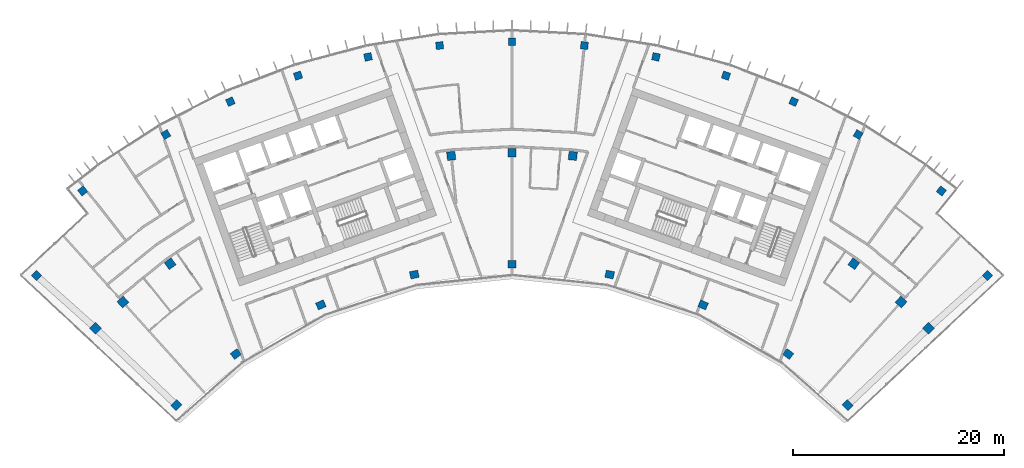
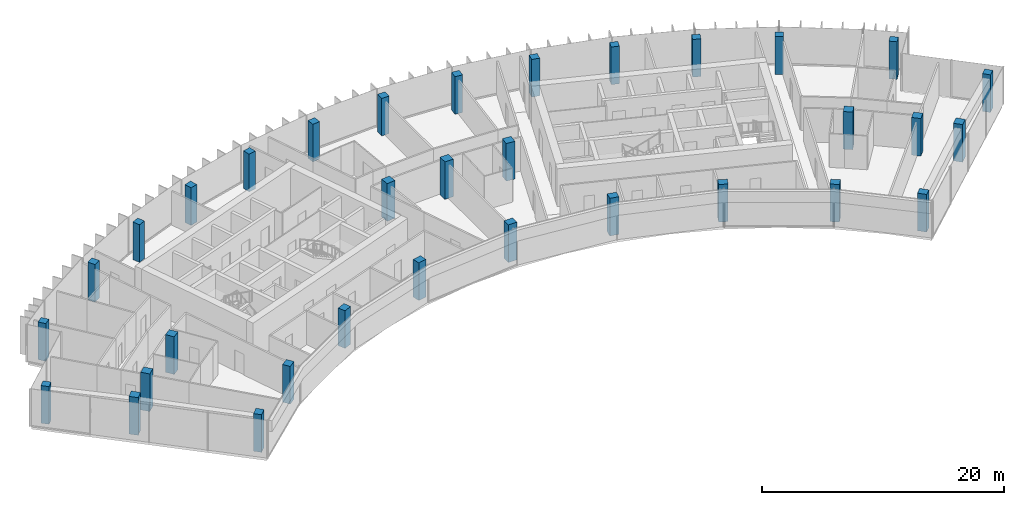
# One storey, part 1 of 19: 33 columns.
"""IFC4 building model written with IfcOpenShell, lengths in metres."""

import ifcopenshell
import ifcopenshell.guid

model = None  # the IFC model being written
_history = None  # IfcOwnerHistory: only IFC2X3 demands one
_inside = {}  # id of a spatial element -> (the spatial element, [elements in it])
_under = {}  # id of a project, library or spatial element -> (it, [spatial elements below it])
_declared = {}  # id of a project -> (the project, [libraries it declares])
_typed = {}  # id of a type object -> (the type object, [elements of that type])
_made_of = {}  # id of a material, layer set ... -> (it, [elements and type objects made of it])


def new_model(schema):
    """Start an empty IFC model of exactly this schema.

    Asked for "IFC4X3", IfcOpenShell would pick the latest addendum, in which some entities
    have other attributes; the version numbers below select the first issue.
    IFC2X3 requires an IfcOwnerHistory on every rooted entity: one is made here for all.
    """
    global model, _history
    if schema == "IFC4X3":
        model = ifcopenshell.file(schema_version=(4, 3, 0, 0))
    else:
        model = ifcopenshell.file(schema=schema)
    _inside.clear()
    _under.clear()
    _declared.clear()
    _typed.clear()
    _made_of.clear()
    _history = None
    if model.schema == "IFC2X3":
        org = make("IfcOrganization", Name="unknown")
        user = make(
            "IfcPersonAndOrganization",
            ThePerson=make("IfcPerson", FamilyName="unknown"),
            TheOrganization=org,
        )
        app = make(
            "IfcApplication",
            ApplicationDeveloper=org,
            Version="unknown",
            ApplicationFullName="unknown",
            ApplicationIdentifier="unknown",
        )
        _history = make(
            "IfcOwnerHistory",
            OwningUser=user,
            OwningApplication=app,
            ChangeAction="ADDED",
            CreationDate=0,
        )
    return model


def make(cls, **values):
    """One entity of the class cls with the attributes given. An attribute that is None is left unset."""
    return model.create_entity(
        cls, **{name: value for name, value in values.items() if value is not None}
    )


def rooted(cls, **values):
    """An entity with a GlobalId (a new one), such as an element, a storey or a relation."""
    return make(cls, GlobalId=ifcopenshell.guid.new(), OwnerHistory=_history, **values)


def si_unit(unit_type, name, prefix=None):
    """IfcSIUnit, for example si_unit("LENGTHUNIT", "METRE", prefix="MILLI")."""
    return make("IfcSIUnit", UnitType=unit_type, Prefix=prefix, Name=name)


def assignment(units):
    """IfcUnitAssignment: the units of a project."""
    return None if units is None else make("IfcUnitAssignment", Units=units)


def point(xyz):
    """IfcCartesianPoint."""
    return None if xyz is None else make("IfcCartesianPoint", Coordinates=xyz)


def direction(xyz):
    """IfcDirection."""
    return None if xyz is None else make("IfcDirection", DirectionRatios=xyz)


def frame(location, z_axis=None, x_axis=None):
    """IfcAxis2Placement3D, a coordinate frame: its origin and axes. An axis left out is left unset."""
    return make(
        "IfcAxis2Placement3D",
        Location=point(location),
        Axis=direction(z_axis),
        RefDirection=direction(x_axis),
    )


def frame_2d(location, x_axis=None):
    """IfcAxis2Placement2D, a coordinate frame in the plane: its origin and x axis."""
    return make(
        "IfcAxis2Placement2D", Location=point(location), RefDirection=direction(x_axis)
    )


def origin():
    """The frame at (0, 0, 0) with its axes left unset."""
    return frame((0.0, 0.0, 0.0))


def origin_2d():
    """The frame at (0, 0) in the plane with its x axis left unset."""
    return frame_2d((0.0, 0.0))


def place(relative_to, where):
    """IfcLocalPlacement: puts the frame where relative to a parent placement (None: the world)."""
    return make(
        "IfcLocalPlacement", PlacementRelTo=relative_to, RelativePlacement=where
    )


def context(
    kind, dimensions, precision=None, world=None, true_north=None, identifier=None
):
    """IfcGeometricRepresentationContext, for example the 3D "Model" context."""
    return make(
        "IfcGeometricRepresentationContext",
        ContextIdentifier=identifier,
        ContextType=kind,
        CoordinateSpaceDimension=dimensions,
        Precision=precision,
        WorldCoordinateSystem=world,
        TrueNorth=true_north,
    )


def subcontext(parent, identifier, kind, view, scale=None):
    """IfcGeometricRepresentationSubContext, for example "Body" below "Model"."""
    return make(
        "IfcGeometricRepresentationSubContext",
        ContextIdentifier=identifier,
        ContextType=kind,
        ParentContext=parent,
        TargetScale=scale,
        TargetView=view,
    )


def project(units=None, contexts=None):
    """IfcProject with its units and contexts."""
    return rooted(
        "IfcProject",
        Name="project",
        RepresentationContexts=contexts,
        UnitsInContext=assignment(units),
    )


def spatial(cls, under=None, at=None, **own):
    """A site, building, storey or space (cls), placed at a placement, below another one or the project."""
    s = rooted(cls, ObjectPlacement=at, **own)
    if under is not None:
        _under.setdefault(under.id(), (under, []))[1].append(s)
    return s


def profile(cls, at=None, kind="AREA", **sizes):
    """A parametric profile (cls). Its sizes go by their IFC names, for example OverallWidth=200.0."""
    return make(cls, ProfileType=kind, Position=at, **sizes)


def rectangle(**sizes):
    """IfcRectangleProfileDef."""
    return profile("IfcRectangleProfileDef", **sizes)


def extrude(swept, where, along, depth):
    """IfcExtrudedAreaSolid: the profile swept, set in the frame where, extruded along a direction by depth."""
    return make(
        "IfcExtrudedAreaSolid",
        SweptArea=swept,
        Position=where,
        ExtrudedDirection=direction(along),
        Depth=depth,
    )


def shape(context_of_items, identifier, shape_type, items):
    """IfcShapeRepresentation: the items that make up one representation, for example the "Body"."""
    return make(
        "IfcShapeRepresentation",
        ContextOfItems=context_of_items,
        RepresentationIdentifier=identifier,
        RepresentationType=shape_type,
        Items=items,
    )


def material(Name=None, Category=None):
    """IfcMaterial."""
    return make("IfcMaterial", Name=Name, Category=Category)


def material_profile(
    of_material, cross_section, Name=None, Category=None, Priority=None
):
    """IfcMaterialProfile: a cross section and its material."""
    return make(
        "IfcMaterialProfile",
        Name=Name,
        Material=of_material,
        Profile=cross_section,
        Priority=Priority,
        Category=Category,
    )


def profile_set(profiles, Name=None, composite=None):
    """IfcMaterialProfileSet."""
    return make(
        "IfcMaterialProfileSet",
        Name=Name,
        MaterialProfiles=profiles,
        CompositeProfile=composite,
    )


def made_of(thing, what):
    """Note that an element or type object is made of a material, layer set ...; save() writes the relation."""
    if what is not None:
        _made_of.setdefault(what.id(), (what, []))[1].append(thing)
    return thing


def type_object(cls, material=None, **own):
    """A type object (cls), such as IfcWallType, which elements share."""
    return made_of(rooted(cls, **own), material)


def element(
    cls,
    number,
    at=None,
    inside=None,
    cuts=None,
    type_object=None,
    material=None,
    context=None,
    identifier="Body",
    shape_type=None,
    held_by="IfcProductDefinitionShape",
    body=None,
    shapes=None,
    **own,
):
    """One element of the class cls, such as IfcWall. Its Tag is "e" and its number.

    at: its placement. inside: the storey or other place that contains it. cuts: it is an
    opening in that element (IfcRelVoidsElement). A single representation is given by context,
    identifier, shape_type and body (its items); several are given by shapes. held_by: the class
    of the entity that holds the representations. save() writes the other relations.
    """
    e = rooted(cls, Tag="e%d" % number, ObjectPlacement=at, **own)
    if body is not None:
        shapes = [shape(context, identifier, shape_type, body)]
    if shapes is not None:
        e.Representation = make(held_by, Representations=shapes)
    if inside is not None:
        _inside.setdefault(inside.id(), (inside, []))[1].append(e)
    if cuts is not None:
        rooted(
            "IfcRelVoidsElement", RelatingBuildingElement=cuts, RelatedOpeningElement=e
        )
    if type_object is not None:
        _typed.setdefault(type_object.id(), (type_object, []))[1].append(e)
    return made_of(e, material)


def aggregate(whole, parts):
    """IfcRelAggregates: a whole, such as a stair, and the parts it consists of."""
    return rooted("IfcRelAggregates", RelatingObject=whole, RelatedObjects=parts)


def save(model, path):
    """Write the relations noted so far, then the file.

    IfcRelAggregates (storeys below a building ...), IfcRelContainedInSpatialStructure (elements
    in a storey), IfcRelDefinesByType, IfcRelAssociatesMaterial and IfcRelDeclares: one each for
    every whole, place, type object, material and project.
    """
    for whole, parts in _under.values():
        aggregate(whole, parts)
    for where, things in _inside.values():
        rooted(
            "IfcRelContainedInSpatialStructure",
            RelatedElements=things,
            RelatingStructure=where,
        )
    for kind, things in _typed.values():
        rooted("IfcRelDefinesByType", RelatedObjects=things, RelatingType=kind)
    for what, things in _made_of.values():
        rooted("IfcRelAssociatesMaterial", RelatedObjects=things, RelatingMaterial=what)
    for by, libraries in _declared.values():
        rooted("IfcRelDeclares", RelatingContext=by, RelatedDefinitions=libraries)
    model.write(path)


model = new_model("IFC4")

# Units and contexts
model_context = context("Model", 3, precision=1e-05, world=origin(), true_north=direction((0.0, 1.0)))
body_context = subcontext(model_context, "Body", "Model", "MODEL_VIEW")
ifc_project = project(units=[si_unit("LENGTHUNIT", "METRE"), si_unit("AREAUNIT", "SQUARE_METRE"), si_unit("VOLUMEUNIT", "CUBIC_METRE"), si_unit("PLANEANGLEUNIT", "RADIAN"), si_unit("MASSUNIT", "GRAM", prefix="KILO")], contexts=[model_context])

# Site, building, storey
site_placement = place(None, origin())
site = spatial("IfcSite", under=ifc_project, at=site_placement, CompositionType="ELEMENT")
building_placement = place(site_placement, origin())
building = spatial("IfcBuilding", under=site, at=building_placement, Name="Stone Belt Terrace Tower", CompositionType="ELEMENT")
storey_placement = place(building_placement, frame((0.0, 0.0, 303.60009765625)))
storey = spatial("IfcBuildingStorey", under=building, at=storey_placement, Name="L74", CompositionType="ELEMENT", Elevation=303.60009765625)

# Columns
ifc_material = material(Name="Concrete B60", Category="concrete")
ifc_material_profile_1 = material_profile(ifc_material, rectangle(XDim=0.699951171875, YDim=0.699951171875, at=origin_2d()), Name="RC 700x700")
ifc_profile_set_1 = profile_set([ifc_material_profile_1], Name="Concrete B60")
column_type_1 = type_object("IfcColumnType", Name="Column RC 700x700 B60", PredefinedType="COLUMN", material=ifc_profile_set_1)
for number, where, z_axis, x_axis, name in (
    (1, (-44.97705078125, 43.381103515625, 0.0), (0.0, 0.0, 1.0), (0.694221333646, 0.719761585465, 0.0), "Column L74 RA"),
    (2, (44.97705078125, 43.381103515625, 0.0), (0.0, 0.0, 1.0), (0.694221333646, -0.719761585465, 0.0), "Column L74 RB"),
    (3, (-40.605712890625, 51.380615234375, 0.0), (0.0, 0.0, 1.0), (0.784569718703, 0.620040608746, 0.0), "Column L74 RNA"),
    (4, (-32.744384765625, 56.715087890625, 0.0), (0.0, 0.0, 1.0), (0.866025403784, 0.5, 0.0), "Column L74 R17"),
    (5, (-26.63671875, 59.8271484375, 0.0), (0.0, 0.0, 1.0), (0.913545457643, 0.406736643076, 0.0), "Column L74 R18"),
    (6, (-20.2373046875, 62.28369140625, 0.0), (0.0, 0.0, 1.0), (0.951056516295, 0.309016994375, 0.0), "Column L74 R19"),
    (7, (-13.615966796875, 64.057861328125, 0.0), (0.0, 0.0, 1.0), (0.978147600734, 0.207911690818, 0.0), "Column L74 R20"),
    (8, (-6.845458984375, 65.130126953125, 0.0), (0.0, 0.0, 1.0), (0.994521895368, 0.104528463268, 0.0), "Column L74 R21"),
    (9, (0.0, 65.489013671875, 0.0), (0.0, 0.0, 1.0), (1.0, 0.0, 0.0), "Column L74 R22"),
    (10, (6.845458984375, 65.130126953125, 0.0), (0.0, 0.0, 1.0), (0.994521895368, -0.104528463268, 0.0), "Column L74 R23"),
    (11, (13.615966796875, 64.057861328125, 0.0), (0.0, 0.0, 1.0), (0.978147600734, -0.207911690818, 0.0), "Column L74 R24"),
    (12, (20.2373046875, 62.28369140625, 0.0), (0.0, 0.0, 1.0), (0.951056516295, -0.309016994375, 0.0), "Column L74 R25"),
    (13, (26.63671875, 59.8271484375, 0.0), (0.0, 0.0, 1.0), (0.913545457643, -0.406736643076, 0.0), "Column L74 R26"),
    (14, (32.744384765625, 56.715087890625, 0.0), (0.0, 0.0, 1.0), (0.866025403784, -0.5, 0.0), "Column L74 R27"),
    (15, (40.605712890625, 51.380615234375, 0.0), (0.0, 0.0, 1.0), (0.784569718703, -0.620040608746, 0.0), "Column L74 RNB"),
):
    element("IfcColumn", number, at=place(storey_placement, frame(where, z_axis=z_axis, x_axis=x_axis)), inside=storey, type_object=column_type_1, Name=name, PredefinedType="COLUMN", context=body_context, shape_type="SweptSolid", body=[
        extrude(rectangle(XDim=0.699951171875, YDim=0.699951171875, at=origin_2d()), origin(), (0.0, 0.0, 1.0), 3.7998046875),
    ])
ifc_material_profile_2 = material_profile(ifc_material, rectangle(XDim=0.800048828125, YDim=0.699951171875, at=origin_2d()), Name="RC 800x700")
ifc_profile_set_2 = profile_set([ifc_material_profile_2], Name="Concrete B60")
column_type_2 = type_object("IfcColumnType", Name="Column RC 800x700 B60", PredefinedType="COLUMN", material=ifc_profile_set_2)
for number, where, z_axis, x_axis, name in (
    (16, (-31.73486328125, 31.11669921875, 0.0), (0.0, 0.0, 1.0), (0.700119596097, 0.714025595592, 0.0), "Column L74 PA"),
    (17, (-26.1240234375, 35.956787109375, 0.0), (0.0, 0.0, 1.0), (0.809016994375, 0.587785252292, 0.0), "Column L74 P16"),
    (18, (-18.077392578125, 40.6025390625, 0.0), (0.0, 0.0, 1.0), (0.913545457643, 0.406736643076, 0.0), "Column L74 P18"),
    (19, (-9.240478515625, 43.473876953125, 0.0), (0.0, 0.0, 1.0), (0.978147600734, 0.207911690818, 0.0), "Column L74 P20"),
    (20, (0.0, 44.445068359375, 0.0), (0.0, 0.0, 1.0), (1.0, 0.0, 0.0), "Column L74 P22"),
    (21, (9.240478515625, 43.473876953125, 0.0), (0.0, 0.0, 1.0), (0.978147600734, -0.207911690818, 0.0), "Column L74 P24"),
    (22, (18.077392578125, 40.6025390625, 0.0), (0.0, 0.0, 1.0), (0.913545457643, -0.406736643076, 0.0), "Column L74 P26"),
    (23, (26.1240234375, 35.956787109375, 0.0), (0.0, 0.0, 1.0), (0.809016994375, -0.587785252292, 0.0), "Column L74 P28"),
    (24, (31.73486328125, 31.11669921875, 0.0), (0.0, 0.0, 1.0), (0.700119596097, -0.714025595592, 0.0), "Column L74 PB"),
):
    element("IfcColumn", number, at=place(storey_placement, frame(where, z_axis=z_axis, x_axis=x_axis)), inside=storey, type_object=column_type_2, Name=name, PredefinedType="COLUMN", context=body_context, shape_type="SweptSolid", body=[
        extrude(rectangle(XDim=0.800048828125, YDim=0.699951171875, at=origin_2d()), origin(), (0.0, 0.0, 1.0), 3.7998046875),
    ])
ifc_material_profile_3 = material_profile(ifc_material, rectangle(XDim=0.800048828125, YDim=0.800048828125, at=origin_2d()), Name="RC 800x800")
ifc_profile_set_3 = profile_set([ifc_material_profile_3], Name="Concrete B60")
column_type_3 = type_object("IfcColumnType", Name="Column RC 800x800 B60", PredefinedType="COLUMN", material=ifc_profile_set_3)
for number, where, z_axis, x_axis, name in (
    (25, (-39.38818359375, 38.386962890625, 0.0), (0.0, 0.0, 1.0), (0.697944216238, 0.716152128406, 0.0), "Column L74 QA"),
    (26, (-36.80224609375, 40.873046875, 0.0), (0.0, 0.0, 1.0), (0.743144825477, 0.669130606359, 0.0), "Column L74 Q15"),
    (27, (-32.328125, 44.495849609375, 0.0), (0.0, 0.0, 1.0), (0.809016994375, 0.587785252292, 0.0), "Column L74 Q16"),
    (28, (-5.7490234375, 54.69873046875, 0.0), (0.0, 0.0, 1.0), (0.994521895368, 0.104528463268, 0.0), "Column L74 Q21"),
    (29, (0.0, 55.0, 0.0), (0.0, 0.0, 1.0), (1.0, 0.0, 0.0), "Column L74 Q22"),
    (30, (5.7490234375, 54.69873046875, 0.0), (0.0, 0.0, 1.0), (0.994521895368, -0.104528463268, 0.0), "Column L74 Q23"),
    (31, (32.328125, 44.495849609375, 0.0), (0.0, 0.0, 1.0), (0.809016994375, -0.587785252292, 0.0), "Column L74 Q28"),
    (32, (36.80224609375, 40.873046875, 0.0), (0.0, 0.0, 1.0), (0.743144825477, -0.669130606359, 0.0), "Column L74 Q29"),
    (33, (39.38818359375, 38.386962890625, 0.0), (0.0, 0.0, 1.0), (0.697944216238, -0.716152128406, 0.0), "Column L74 QB"),
):
    element("IfcColumn", number, at=place(storey_placement, frame(where, z_axis=z_axis, x_axis=x_axis)), inside=storey, type_object=column_type_3, Name=name, PredefinedType="COLUMN", context=body_context, shape_type="SweptSolid", body=[
        extrude(rectangle(XDim=0.800048828125, YDim=0.800048828125, at=origin_2d()), origin(), (0.0, 0.0, 1.0), 3.7998046875),
    ])

save(model, "model.ifc")
